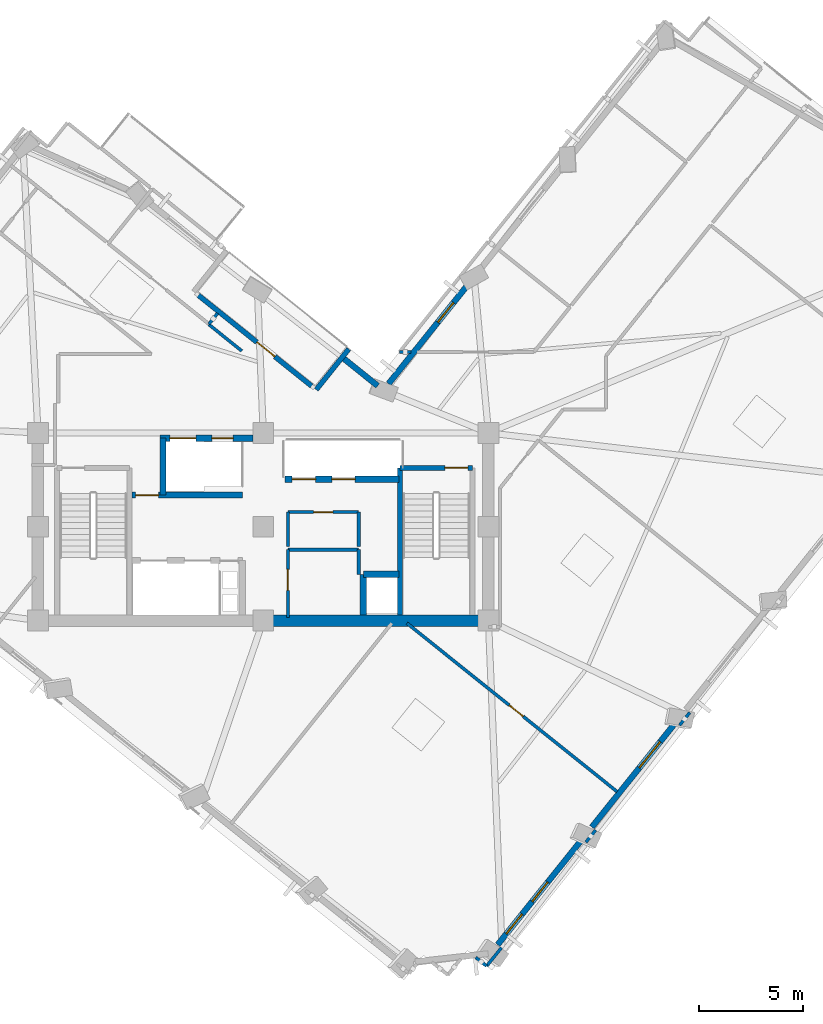
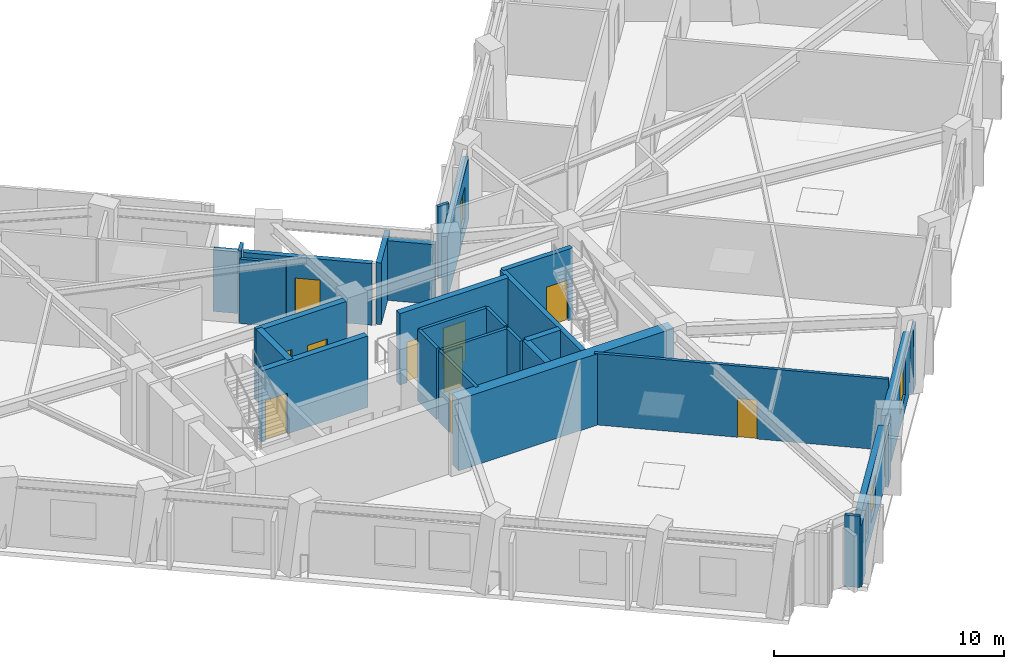
# One storey, part 5 of 10: 29 walls, 10 doors, 4 windows, 14 openings.
"""IFC4 building model written with IfcOpenShell, lengths in metres."""

from ifc_helpers import new_model, si_unit, direction, frame, frame_2d, origin, place, context, subcontext, project, spatial, rectangle, extrude, material, layer, layer_set, type_object, element, fill, save


model = new_model("IFC4")

# Units and contexts
model_context = context("Model", 3, precision=1e-05, world=origin(), true_north=direction((0.0, 1.0)))
body_context = subcontext(model_context, "Body", "Model", "MODEL_VIEW")
ifc_project = project(units=[si_unit("LENGTHUNIT", "METRE"), si_unit("AREAUNIT", "SQUARE_METRE"), si_unit("VOLUMEUNIT", "CUBIC_METRE"), si_unit("PLANEANGLEUNIT", "RADIAN"), si_unit("MASSUNIT", "GRAM", prefix="KILO")], contexts=[model_context])

# Site, building, storey
site_placement = place(None, origin())
site = spatial("IfcSite", under=ifc_project, at=site_placement, CompositionType="ELEMENT")
building_placement = place(site_placement, origin())
building = spatial("IfcBuilding", under=site, at=building_placement, Name="Gaonmaruhae Medical Tower", CompositionType="ELEMENT")
storey_placement = place(building_placement, frame((0.0, 0.0, 243.199951171875)))
storey = spatial("IfcBuildingStorey", under=building, at=storey_placement, Name="L58", CompositionType="ELEMENT", Elevation=243.199951171875)

# Wall
ifc_material_1 = material(Name="Concrete C50/60", Category="concrete")
ifc_layer_1 = layer(ifc_material_1, 0.550048828125)
ifc_layer_set_1 = layer_set([ifc_layer_1], Name="Concrete C50/60")
wall_type_1 = type_object("IfcWallType", Name="CW-550 Mid-High Core Shear Wall", PredefinedType="SHEAR", material=ifc_layer_set_1)
wall_1_placement = place(storey_placement, frame((24.800048828125, 7.800048828125, 0.0), z_axis=(0.0, 0.0, 1.0), x_axis=(1.0, 0.0, 0.0)))
element("IfcWall", 1, at=wall_1_placement, inside=storey, type_object=wall_type_1, Name="L58 Core Shear Wall CSW-S2", PredefinedType="SHEAR", context=body_context, shape_type="SweptSolid", body=[
    extrude(rectangle(XDim=10.800048828125, YDim=0.550048828125, at=frame_2d((5.39990234375, 0.0))), origin(), (0.0, 0.0, 1.0), 3.780029296875),
])

# Wall, opening, door
ifc_material_2 = material(Name="Precast concrete C45/55", Category="concrete")
ifc_layer_2 = layer(ifc_material_2, 0.239990234375)
ifc_layer_set_2 = layer_set([ifc_layer_2], Name="Precast concrete C45/55")
wall_type_2 = type_object("IfcWallType", Name="EW-240 Ribbon & Shelter Insulated Precast Wall", PredefinedType="SOLIDWALL", material=ifc_layer_set_2)
wall_2_placement = place(storey_placement, frame((21.68994140625, 23.39892578125, 0.0), z_axis=(0.0, 0.0, 1.0), x_axis=(0.780444274377, -0.625225347049, 0.0)))
wall_2 = element("IfcWall", 2, at=wall_2_placement, inside=storey, type_object=wall_type_2, Name="L58 Recessed Terrace Enclosure Wall TERB", PredefinedType="SOLIDWALL", context=body_context, shape_type="SweptSolid", body=[
    extrude(rectangle(XDim=6.9599609375, YDim=0.239990234375, at=frame_2d((3.47998046875, 0.0))), origin(), (0.0, 0.0, 1.0), 3.26513671875),
])
opening_1_placement = place(wall_2_placement, frame((3.59716796875, 0.0, 0.0)))
opening_1 = element("IfcOpeningElement", 3, at=opening_1_placement, cuts=wall_2, Name="Opening TD-01", PredefinedType="OPENING", context=body_context, shape_type="SweptSolid", body=[
    extrude(rectangle(XDim=1.10009765625, YDim=2.14990234375, at=frame_2d((0.550048828125, 1.074951171875))), frame((0.0, 0.1298828125, 0.0), z_axis=(0.0, -1.0, 0.0), x_axis=(1.0, 0.0, 0.0)), (0.0, 0.0, 1.0), 0.260009765625),
])
ifc_material_3 = material(Name="Anodised aluminium and toughened safety glass", Category="aluminium")
door_type_1 = type_object("IfcDoorType", Name="TD-01 Terrace & Sky Garden Glazed Door 1100x2150", OperationType="NOTDEFINED", PredefinedType="DOOR", material=ifc_material_3)
door_1_placement = place(opening_1_placement, origin())
door_1 = element("IfcDoor", 4, at=door_1_placement, inside=storey, type_object=door_type_1, Name="L58 Outdoor Terrace Access Door SLB-L58-TER", OperationType="SINGLE_SWING_RIGHT", OverallHeight=2.14990234375, OverallWidth=1.10009765625, PredefinedType="DOOR", context=body_context, shape_type="SweptSolid", body=[
    extrude(rectangle(XDim=1.10009765625, YDim=2.14990234375, at=frame_2d((0.550048828125, 1.074951171875))), frame((0.0, 0.02490234375, 0.0), z_axis=(0.0, -1.0, 0.0), x_axis=(1.0, 0.0, 0.0)), (0.0, 0.0, 1.0), 0.050048828125),
])
fill(opening_1, door_1)

# Wall
wall_3_placement = place(storey_placement, frame((27.34033203125, 18.872314453125, 0.0), z_axis=(0.0, 0.0, 1.0), x_axis=(0.625195109781, 0.780468496934, 0.0)))
element("IfcWall", 5, at=wall_3_placement, inside=storey, type_object=wall_type_2, Name="L58 Recessed Terrace Enclosure Wall TERL", PredefinedType="SOLIDWALL", context=body_context, shape_type="SweptSolid", body=[
    extrude(rectangle(XDim=2.5, YDim=0.239990234375, at=frame_2d((1.25, 0.0))), origin(), (0.0, 0.0, 1.0), 3.26513671875),
])

# Wall, openings, windows
ifc_layer_3 = layer(ifc_material_2, 0.280029296875)
ifc_layer_set_3 = layer_set([ifc_layer_3], Name="Precast concrete C45/55")
wall_type_3 = type_object("IfcWallType", Name="EW-280 Upper Precast Masonry-Frame Facade Wall", PredefinedType="SOLIDWALL", material=ifc_layer_set_3)
wall_4_placement = place(storey_placement, frame((40.093994140625, -2.680419921875, 0.0), z_axis=(0.0, 0.0, 1.0), x_axis=(-0.625241268049, -0.780431519564, 0.0)))
wall_4 = element("IfcWall", 6, at=wall_4_placement, inside=storey, type_object=wall_type_3, Name="L58 Precast Masonry-Frame Wall S01-S02", PredefinedType="SOLIDWALL", context=body_context, shape_type="SweptSolid", body=[
    extrude(rectangle(XDim=6.484619140625, YDim=0.280029296875, at=frame_2d((3.2421875, 0.0))), origin(), (0.0, 0.0, 1.0), 3.26513671875),
])
opening_2_placement = place(wall_4_placement, frame((2.634033203125, 0.0, 0.75)))
opening_2 = element("IfcOpeningElement", 7, at=opening_2_placement, cuts=wall_4, Name="Opening WN-05", PredefinedType="OPENING", context=body_context, shape_type="SweptSolid", body=[
    extrude(rectangle(XDim=1.199951171875, YDim=1.75, at=frame_2d((0.60009765625, 0.875))), frame((0.0, 0.14990234375, 0.0), z_axis=(0.0, -1.0, 0.0), x_axis=(1.0, 0.0, 0.0)), (0.0, 0.0, 1.0), 0.300048828125),
])
opening_3_placement = place(wall_4_placement, frame((4.60888671875, 0.0, 0.75)))
opening_3 = element("IfcOpeningElement", 8, at=opening_3_placement, cuts=wall_4, Name="Opening WN-05", PredefinedType="OPENING", context=body_context, shape_type="SweptSolid", body=[
    extrude(rectangle(XDim=1.199951171875, YDim=1.75, at=frame_2d((0.60009765625, 0.875))), frame((0.0, 0.14990234375, 0.0), z_axis=(0.0, -1.0, 0.0), x_axis=(1.0, 0.0, 0.0)), (0.0, 0.0, 1.0), 0.300048828125),
])
ifc_material_4 = material(Name="Anodised aluminium and Low-E double glazing", Category="aluminium")
window_type_1 = type_object("IfcWindowType", Name="WN-05 Support & Staff Punched Window 1200x1750", PartitioningType="SINGLE_PANEL", PredefinedType="WINDOW", material=ifc_material_4)
window_1_placement = place(opening_2_placement, origin())
window_1 = element("IfcWindow", 9, at=window_1_placement, inside=storey, type_object=window_type_1, Name="L58 Modular Facade Window S01", OverallHeight=1.75, OverallWidth=1.199951171875, PartitioningType="SINGLE_PANEL", PredefinedType="WINDOW", context=body_context, shape_type="SweptSolid", body=[
    extrude(rectangle(XDim=1.199951171875, YDim=1.75, at=frame_2d((0.60009765625, 0.875))), frame((0.0, 0.030029296875, 0.0), z_axis=(0.0, -1.0, 0.0), x_axis=(1.0, 0.0, 0.0)), (0.0, 0.0, 1.0), 0.06005859375),
])
fill(opening_2, window_1)
window_2_placement = place(opening_3_placement, origin())
window_2 = element("IfcWindow", 10, at=window_2_placement, inside=storey, type_object=window_type_1, Name="L58 Modular Facade Window S01B", OverallHeight=1.75, OverallWidth=1.199951171875, PartitioningType="SINGLE_PANEL", PredefinedType="WINDOW", context=body_context, shape_type="SweptSolid", body=[
    extrude(rectangle(XDim=1.199951171875, YDim=1.75, at=frame_2d((0.60009765625, 0.875))), frame((0.0, 0.030029296875, 0.0), z_axis=(0.0, -1.0, 0.0), x_axis=(1.0, 0.0, 0.0)), (0.0, 0.0, 1.0), 0.06005859375),
])
fill(opening_3, window_2)

# Wall, opening, window
wall_5_placement = place(storey_placement, frame((44.584716796875, 2.9248046875, 0.0), z_axis=(0.0, 0.0, 1.0), x_axis=(-0.625259022446, -0.78041729533, 0.0)))
wall_5 = element("IfcWall", 11, at=wall_5_placement, inside=storey, type_object=wall_type_3, Name="L58 Precast Masonry-Frame Wall S02-S03", PredefinedType="SOLIDWALL", context=body_context, shape_type="SweptSolid", body=[
    extrude(rectangle(XDim=6.438720703125, YDim=0.280029296875, at=frame_2d((3.21923828125, 0.0))), origin(), (0.0, 0.0, 1.0), 3.26513671875),
])
opening_4_placement = place(wall_5_placement, frame((1.1953125, 0.0, 0.75)))
opening_4 = element("IfcOpeningElement", 12, at=opening_4_placement, cuts=wall_5, Name="Opening WN-01", PredefinedType="OPENING", context=body_context, shape_type="SweptSolid", body=[
    extrude(rectangle(XDim=1.60009765625, YDim=1.949951171875, at=frame_2d((0.800048828125, 0.97509765625))), frame((0.0, 0.14990234375, 0.0), z_axis=(0.0, -1.0, 0.0), x_axis=(1.0, 0.0, 0.0)), (0.0, 0.0, 1.0), 0.300048828125),
])
window_type_2 = type_object("IfcWindowType", Name="WN-01 Ward Punched Acoustic Window 1600x1950", PartitioningType="SINGLE_PANEL", PredefinedType="WINDOW", material=ifc_material_4)
window_3_placement = place(opening_4_placement, origin())
window_3 = element("IfcWindow", 13, at=window_3_placement, inside=storey, type_object=window_type_2, Name="L58 Modular Facade Window S02", OverallHeight=1.949951171875, OverallWidth=1.60009765625, PartitioningType="SINGLE_PANEL", PredefinedType="WINDOW", context=body_context, shape_type="SweptSolid", body=[
    extrude(rectangle(XDim=1.60009765625, YDim=1.949951171875, at=frame_2d((0.800048828125, 0.97509765625))), frame((0.0, 0.030029296875, 0.0), z_axis=(0.0, -1.0, 0.0), x_axis=(1.0, 0.0, 0.0)), (0.0, 0.0, 1.0), 0.06005859375),
])
fill(opening_4, window_3)

wall_6_placement = place(storey_placement, frame((30.811767578125, 19.160400390625, 0.0), z_axis=(0.0, 0.0, 1.0), x_axis=(0.625231549592, 0.780439305388, 0.0)))
wall_6 = element("IfcWall", 14, at=wall_6_placement, inside=storey, type_object=wall_type_3, Name="L58 Precast Masonry-Frame Wall EN02-KN01", PredefinedType="SOLIDWALL", context=body_context, shape_type="SweptSolid", body=[
    extrude(rectangle(XDim=6.158203125, YDim=0.280029296875, at=frame_2d((3.0791015625, 0.0))), origin(), (0.0, 0.0, 1.0), 3.26513671875),
])
opening_5_placement = place(wall_6_placement, frame((3.77783203125, 0.0, 0.75)))
opening_5 = element("IfcOpeningElement", 15, at=opening_5_placement, cuts=wall_6, Name="Opening WN-05", PredefinedType="OPENING", context=body_context, shape_type="SweptSolid", body=[
    extrude(rectangle(XDim=1.199951171875, YDim=1.75, at=frame_2d((0.60009765625, 0.875))), frame((0.0, 0.14990234375, 0.0), z_axis=(0.0, -1.0, 0.0), x_axis=(1.0, 0.0, 0.0)), (0.0, 0.0, 1.0), 0.300048828125),
])
window_4_placement = place(opening_5_placement, origin())
window_4 = element("IfcWindow", 16, at=window_4_placement, inside=storey, type_object=window_type_1, Name="L58 Modular Facade Window EN02", OverallHeight=1.75, OverallWidth=1.199951171875, PartitioningType="SINGLE_PANEL", PredefinedType="WINDOW", context=body_context, shape_type="SweptSolid", body=[
    extrude(rectangle(XDim=1.199951171875, YDim=1.75, at=frame_2d((0.60009765625, 0.875))), frame((0.0, 0.030029296875, 0.0), z_axis=(0.0, -1.0, 0.0), x_axis=(1.0, 0.0, 0.0)), (0.0, 0.0, 1.0), 0.06005859375),
])
fill(opening_5, window_4)

# Wall
wall_7_placement = place(storey_placement, frame((28.60009765625, 20.412841796875, 0.0), z_axis=(0.0, 0.0, 1.0), x_axis=(0.78039569027, -0.625285987856, 0.0)))
element("IfcWall", 17, at=wall_7_placement, inside=storey, type_object=wall_type_3, Name="L58 Precast Masonry-Frame Wall KN01-NE01", PredefinedType="SOLIDWALL", context=body_context, shape_type="SweptSolid", body=[
    extrude(rectangle(XDim=2.165771484375, YDim=0.280029296875, at=frame_2d((1.0830078125, 0.0))), origin(), (0.0, 0.0, 1.0), 3.1650390625),
])

# Wall, opening, door
ifc_material_5 = material(Name="Gypsum board partition", Category="gypsum")
ifc_layer_4 = layer(ifc_material_5, 0.14990234375)
ifc_layer_set_4 = layer_set([ifc_layer_4], Name="Gypsum board partition")
wall_type_4 = type_object("IfcWallType", Name="PW-150 Rated Clinical Corridor Partition", PredefinedType="PARTITIONING", material=ifc_layer_set_4)
wall_8_placement = place(storey_placement, frame((25.97998046875, 7.9599609375, 0.0), z_axis=(0.0, 0.0, 1.0), x_axis=(0.0, 1.0, 0.0)))
wall_8 = element("IfcWall", 18, at=wall_8_placement, inside=storey, type_object=wall_type_4, Name="L58 Interior Partition L58-RCL1-1", PredefinedType="PARTITIONING", context=body_context, shape_type="SweptSolid", body=[
    extrude(rectangle(XDim=3.239990234375, YDim=0.14990234375, at=frame_2d((1.6201171875, 0.0))), origin(), (0.0, 0.0, 1.0), 3.780029296875),
])
opening_6_placement = place(wall_8_placement, frame((1.294921875, 0.0, 0.0)))
opening_6 = element("IfcOpeningElement", 19, at=opening_6_placement, cuts=wall_8, Name="Opening CD-01", PredefinedType="OPENING", context=body_context, shape_type="SweptSolid", body=[
    extrude(rectangle(XDim=1.0, YDim=2.1201171875, at=frame_2d((0.5, 1.06005859375))), frame((0.0, 0.0849609375, 0.0), z_axis=(0.0, -1.0, 0.0), x_axis=(1.0, 0.0, 0.0)), (0.0, 0.0, 1.0), 0.169921875),
])
ifc_material_6 = material(Name="Antimicrobial laminate timber fire door", Category="wood")
door_type_2 = type_object("IfcDoorType", Name="CD-01 Consultation & Physician Office Door 1000x2120", OperationType="NOTDEFINED", PredefinedType="DOOR", material=ifc_material_6)
door_2_placement = place(opening_6_placement, origin())
door_2 = element("IfcDoor", 20, at=door_2_placement, inside=storey, type_object=door_type_2, Name="L58 Clinical Telemetry and Medication Room Door", OperationType="SINGLE_SWING_RIGHT", OverallHeight=2.1201171875, OverallWidth=1.0, PredefinedType="DOOR", context=body_context, shape_type="SweptSolid", body=[
    extrude(rectangle(XDim=1.0, YDim=2.1201171875, at=frame_2d((0.5, 1.06005859375))), frame((0.0, 0.02490234375, 0.0), z_axis=(0.0, -1.0, 0.0), x_axis=(1.0, 0.0, 0.0)), (0.0, 0.0, 1.0), 0.050048828125),
])
fill(opening_6, door_2)

# Walls
wall_9_placement = place(storey_placement, frame((25.97998046875, 11.199951171875, 0.0), z_axis=(0.0, 0.0, 1.0), x_axis=(1.0, 0.0, 0.0)))
element("IfcWall", 21, at=wall_9_placement, inside=storey, type_object=wall_type_4, Name="L58 Interior Partition L58-RCL1-2", PredefinedType="PARTITIONING", context=body_context, shape_type="SweptSolid", body=[
    extrude(rectangle(XDim=3.39990234375, YDim=0.14990234375, at=frame_2d((1.699951171875, 0.0))), origin(), (0.0, 0.0, 1.0), 3.780029296875),
])
wall_10_placement = place(storey_placement, frame((29.3798828125, 11.199951171875, 0.0), z_axis=(0.0, 0.0, 1.0), x_axis=(0.0, -1.0, 0.0)))
element("IfcWall", 22, at=wall_10_placement, inside=storey, type_object=wall_type_4, Name="L58 Interior Partition L58-RCL1-3", PredefinedType="PARTITIONING", context=body_context, shape_type="SweptSolid", body=[
    extrude(rectangle(XDim=1.179931640625, YDim=0.14990234375, at=frame_2d((0.58984375, 0.0))), origin(), (0.0, 0.0, 1.0), 3.780029296875),
])
wall_11_placement = place(storey_placement, frame((25.97998046875, 11.360107421875, 0.0), z_axis=(0.0, 0.0, 1.0), x_axis=(0.0, 1.0, 0.0)))
element("IfcWall", 23, at=wall_11_placement, inside=storey, type_object=wall_type_4, Name="L58 Interior Partition L58-CS1-4", PredefinedType="PARTITIONING", context=body_context, shape_type="SweptSolid", body=[
    extrude(rectangle(XDim=1.639892578125, YDim=0.14990234375, at=frame_2d((0.81982421875, 0.0))), origin(), (0.0, 0.0, 1.0), 3.780029296875),
])

# Wall, opening, door
wall_12_placement = place(storey_placement, frame((25.97998046875, 13.0, 0.0), z_axis=(0.0, 0.0, 1.0), x_axis=(1.0, 0.0, 0.0)))
wall_12 = element("IfcWall", 24, at=wall_12_placement, inside=storey, type_object=wall_type_4, Name="L58 Interior Partition L58-CS1-5", PredefinedType="PARTITIONING", context=body_context, shape_type="SweptSolid", body=[
    extrude(rectangle(XDim=3.39990234375, YDim=0.14990234375, at=frame_2d((1.699951171875, 0.0))), origin(), (0.0, 0.0, 1.0), 3.780029296875),
])
opening_7_placement = place(wall_12_placement, frame((1.239990234375, 0.0, 0.0)))
opening_7 = element("IfcOpeningElement", 25, at=opening_7_placement, cuts=wall_12, Name="Opening UD-01", PredefinedType="OPENING", context=body_context, shape_type="SweptSolid", body=[
    extrude(rectangle(XDim=0.919921875, YDim=2.10009765625, at=frame_2d((0.4599609375, 1.050048828125))), frame((0.0, 0.0849609375, 0.0), z_axis=(0.0, -1.0, 0.0), x_axis=(1.0, 0.0, 0.0)), (0.0, 0.0, 1.0), 0.169921875),
])
ifc_material_7 = material(Name="Powder-coated steel utility door", Category="steel")
door_type_3 = type_object("IfcDoorType", Name="UD-01 Toilet, Utility & Housekeeping Door 920x2100", OperationType="NOTDEFINED", PredefinedType="DOOR", material=ifc_material_7)
door_3_placement = place(opening_7_placement, origin())
door_3 = element("IfcDoor", 26, at=door_3_placement, inside=storey, type_object=door_type_3, Name="L58 Accessible Staff Toilet Door", OperationType="SINGLE_SWING_LEFT", OverallHeight=2.10009765625, OverallWidth=0.919921875, PredefinedType="DOOR", context=body_context, shape_type="SweptSolid", body=[
    extrude(rectangle(XDim=0.919921875, YDim=2.10009765625, at=frame_2d((0.4599609375, 1.050048828125))), frame((0.0, 0.02490234375, 0.0), z_axis=(0.0, -1.0, 0.0), x_axis=(1.0, 0.0, 0.0)), (0.0, 0.0, 1.0), 0.050048828125),
])
fill(opening_7, door_3)

# Wall
wall_13_placement = place(storey_placement, frame((29.3798828125, 13.0, 0.0), z_axis=(0.0, 0.0, 1.0), x_axis=(0.0, -1.0, 0.0)))
element("IfcWall", 27, at=wall_13_placement, inside=storey, type_object=wall_type_4, Name="L58 Interior Partition L58-CS1-6", PredefinedType="PARTITIONING", context=body_context, shape_type="SweptSolid", body=[
    extrude(rectangle(XDim=1.639892578125, YDim=0.14990234375, at=frame_2d((0.81982421875, 0.0))), origin(), (0.0, 0.0, 1.0), 3.780029296875),
])

# Wall, opening, door
wall_14_placement = place(storey_placement, frame((31.68896484375, 7.675048828125, 0.0), z_axis=(0.0, 0.0, 1.0), x_axis=(0.78039660669, -0.625284844105, 0.0)))
wall_14 = element("IfcWall", 28, at=wall_14_placement, inside=storey, type_object=wall_type_4, Name="L58 Interior Partition L58-SUP01-12", PredefinedType="PARTITIONING", context=body_context, shape_type="SweptSolid", body=[
    extrude(rectangle(XDim=12.919189453125, YDim=0.14990234375, at=frame_2d((6.45947265625, 0.0))), origin(), (0.0, 0.0, 1.0), 3.780029296875),
])
opening_8_placement = place(wall_14_placement, frame((6.28955078125, 0.0, 0.0)))
opening_8 = element("IfcOpeningElement", 29, at=opening_8_placement, cuts=wall_14, Name="Opening AD-01", PredefinedType="OPENING", context=body_context, shape_type="SweptSolid", body=[
    extrude(rectangle(XDim=0.860107421875, YDim=2.06005859375, at=frame_2d((0.43017578125, 1.030029296875))), frame((0.0, 0.0849609375, 0.0), z_axis=(0.0, -1.0, 0.0), x_axis=(1.0, 0.0, 0.0)), (0.0, 0.0, 1.0), 0.169921875),
])
ifc_material_8 = material(Name="Powder-coated steel access door", Category="steel")
door_type_4 = type_object("IfcDoorType", Name="AD-01 Riser & Closet Access Fire Door 860x2060", OperationType="NOTDEFINED", PredefinedType="DOOR", material=ifc_material_8)
door_4_placement = place(opening_8_placement, origin())
door_4 = element("IfcDoor", 30, at=door_4_placement, inside=storey, type_object=door_type_4, Name="L58 Clinical Biomedical Charting Office Sliding Door", OperationType="SLIDING_TO_LEFT", OverallHeight=2.06005859375, OverallWidth=0.860107421875, PredefinedType="DOOR", context=body_context, shape_type="SweptSolid", body=[
    extrude(rectangle(XDim=0.860107421875, YDim=2.06005859375, at=frame_2d((0.43017578125, 1.030029296875))), frame((0.0, 0.02490234375, 0.0), z_axis=(0.0, -1.0, 0.0), x_axis=(1.0, 0.0, 0.0)), (0.0, 0.0, 1.0), 0.050048828125),
])
fill(opening_8, door_4)

# Walls
wall_15_placement = place(storey_placement, frame((40.739013671875, -2.243896484375, 0.0), z_axis=(0.0, 0.0, 1.0), x_axis=(-0.625535620459, -0.780195608509, 0.0)))
element("IfcWall", 31, at=wall_15_placement, inside=storey, type_object=wall_type_4, Name="L58 Interior Partition L58-SUP01-13", PredefinedType="PARTITIONING", context=body_context, shape_type="SweptSolid", body=[
    extrude(rectangle(XDim=0.743408203125, YDim=0.14990234375, at=frame_2d((0.37158203125, 0.0))), origin(), (0.0, 0.0, 1.0), 3.26513671875),
])
wall_16_placement = place(storey_placement, frame((36.218994140625, -7.885009765625, 0.0), z_axis=(0.0, 0.0, 1.0), x_axis=(-0.625327701113, -0.780362266015, 0.0)))
element("IfcWall", 32, at=wall_16_placement, inside=storey, type_object=wall_type_4, Name="L58 Interior Partition L58-SUP01-14", PredefinedType="PARTITIONING", context=body_context, shape_type="SweptSolid", body=[
    extrude(rectangle(XDim=1.129150390625, YDim=0.14990234375, at=frame_2d((0.564453125, 0.0))), origin(), (0.0, 0.0, 1.0), 3.26513671875),
])
wall_17_placement = place(storey_placement, frame((35.512939453125, -8.76611328125, 0.0), z_axis=(0.0, 0.0, 1.0), x_axis=(-0.78072601793, 0.624873495138, 0.0)))
element("IfcWall", 33, at=wall_17_placement, inside=storey, type_object=wall_type_4, Name="L58 Interior Partition L58-SUP01-15", PredefinedType="PARTITIONING", context=body_context, shape_type="SweptSolid", body=[
    extrude(rectangle(XDim=0.667236328125, YDim=0.14990234375, at=frame_2d((0.33349609375, 0.0))), origin(), (0.0, 0.0, 1.0), 3.780029296875),
])
wall_18_placement = place(storey_placement, frame((45.2509765625, 3.387939453125, 0.0), z_axis=(0.0, 0.0, 1.0), x_axis=(-0.625880358597, -0.779919083445, 0.0)))
element("IfcWall", 34, at=wall_18_placement, inside=storey, type_object=wall_type_4, Name="L58 Interior Partition L58-SUP02-19", PredefinedType="PARTITIONING", context=body_context, shape_type="SweptSolid", body=[
    extrude(rectangle(XDim=0.7783203125, YDim=0.14990234375, at=frame_2d((0.38916015625, 0.0))), origin(), (0.0, 0.0, 1.0), 3.26513671875),
])
wall_19_placement = place(storey_placement, frame((31.882080078125, 20.679931640625, 0.0), z_axis=(0.0, 0.0, 1.0), x_axis=(-1.0, 0.0, 0.0)))
element("IfcWall", 35, at=wall_19_placement, inside=storey, type_object=wall_type_4, Name="L58 Interior Partition L58-IE01-58", PredefinedType="PARTITIONING", context=body_context, shape_type="SweptSolid", body=[
    extrude(rectangle(XDim=0.55810546875, YDim=0.14990234375, at=frame_2d((0.279052734375, 0.0))), origin(), (0.0, 0.0, 1.0), 3.780029296875),
])
wall_20_placement = place(storey_placement, frame((22.613037109375, 22.5380859375, 0.0), z_axis=(0.0, 0.0, 1.0), x_axis=(-0.62541093156, -0.780295563672, 0.0)))
element("IfcWall", 36, at=wall_20_placement, inside=storey, type_object=wall_type_4, Name="L58 Interior Partition L58-IN02-70", PredefinedType="PARTITIONING", context=body_context, shape_type="SweptSolid", body=[
    extrude(rectangle(XDim=0.665283203125, YDim=0.14990234375, at=frame_2d((0.33251953125, 0.0))), origin(), (0.0, 0.0, 1.0), 3.780029296875),
])
wall_21_placement = place(storey_placement, frame((22.18505859375, 22.00390625, 0.0), z_axis=(0.0, 0.0, 1.0), x_axis=(0.78033107822, -0.625366619163, 0.0)))
element("IfcWall", 37, at=wall_21_placement, inside=storey, type_object=wall_type_4, Name="L58 Interior Partition L58-RM03-86", PredefinedType="PARTITIONING", context=body_context, shape_type="SweptSolid", body=[
    extrude(rectangle(XDim=2.03857421875, YDim=0.14990234375, at=frame_2d((1.019287109375, 0.0))), origin(), (0.0, 0.0, 1.0), 3.4150390625),
])

# Wall, opening, door
ifc_layer_5 = layer(ifc_material_1, 0.239990234375)
ifc_layer_set_5 = layer_set([ifc_layer_5], Name="Concrete C50/60")
wall_type_5 = type_object("IfcWallType", Name="SW-240 Dogleg Stair Tight Shaft Wall", PredefinedType="SOLIDWALL", material=ifc_layer_set_5)
wall_22_placement = place(storey_placement, frame((31.3701171875, 15.1201171875, 0.0), z_axis=(0.0, 0.0, 1.0), x_axis=(1.0, 0.0, 0.0)))
wall_22 = element("IfcWall", 38, at=wall_22_placement, inside=storey, type_object=wall_type_5, Name="L58 ST-02 Stair Shaft Wall SHW-ST-02-N", PredefinedType="SOLIDWALL", context=body_context, shape_type="SweptSolid", body=[
    extrude(rectangle(XDim=3.4599609375, YDim=0.239990234375, at=frame_2d((1.72998046875, 0.0))), origin(), (0.0, 0.0, 1.0), 3.780029296875),
])
opening_9_placement = place(wall_22_placement, frame((2.139892578125, 0.0, 0.0)))
opening_9 = element("IfcOpeningElement", 39, at=opening_9_placement, cuts=wall_22, Name="Opening FD-01", PredefinedType="OPENING", context=body_context, shape_type="SweptSolid", body=[
    extrude(rectangle(XDim=1.10009765625, YDim=2.14990234375, at=frame_2d((0.550048828125, 1.074951171875))), frame((0.0, 0.1298828125, 0.0), z_axis=(0.0, -1.0, 0.0), x_axis=(1.0, 0.0, 0.0)), (0.0, 0.0, 1.0), 0.260009765625),
])
ifc_material_9 = material(Name="Powder-coated steel fire door", Category="steel")
door_type_5 = type_object("IfcDoorType", Name="FD-01 Escape Stair Protected Fire Door 1100x2150", OperationType="NOTDEFINED", PredefinedType="DOOR", material=ifc_material_9)
door_5_placement = place(opening_9_placement, origin())
door_5 = element("IfcDoor", 40, at=door_5_placement, inside=storey, type_object=door_type_5, Name="L58 ST-02 Protected Escape Stair Door", OperationType="SINGLE_SWING_LEFT", OverallHeight=2.14990234375, OverallWidth=1.10009765625, PredefinedType="DOOR", context=body_context, shape_type="SweptSolid", body=[
    extrude(rectangle(XDim=1.10009765625, YDim=2.14990234375, at=frame_2d((0.550048828125, 1.074951171875))), frame((0.0, 0.02490234375, 0.0), z_axis=(0.0, -1.0, 0.0), x_axis=(1.0, 0.0, 0.0)), (0.0, 0.0, 1.0), 0.050048828125),
])
fill(opening_9, door_5)

# Wall
wall_23_placement = place(storey_placement, frame((31.3701171875, 8.074951171875, 0.0), z_axis=(0.0, 0.0, 1.0), x_axis=(0.0, 1.0, 0.0)))
element("IfcWall", 41, at=wall_23_placement, inside=storey, type_object=wall_type_5, Name="L58 ST-02 Stair Shaft Wall SHW-ST-02-W", PredefinedType="SOLIDWALL", context=body_context, shape_type="SweptSolid", body=[
    extrude(rectangle(XDim=7.045166015625, YDim=0.239990234375, at=frame_2d((3.5224609375, 0.0))), origin(), (0.0, 0.0, 1.0), 3.780029296875),
])

# Wall, openings, doors
ifc_layer_6 = layer(ifc_material_1, 0.300048828125)
ifc_layer_set_6 = layer_set([ifc_layer_6], Name="Concrete C50/60")
wall_type_6 = type_object("IfcWallType", Name="SW-300 Stair & Lift Hoistway Shaft Wall", PredefinedType="SOLIDWALL", material=ifc_layer_set_6)
wall_24_placement = place(storey_placement, frame((19.85009765625, 16.550048828125, 0.0), z_axis=(0.0, 0.0, 1.0), x_axis=(1.0, 0.0, 0.0)))
wall_24 = element("IfcWall", 42, at=wall_24_placement, inside=storey, type_object=wall_type_6, Name="L58 Core Shear Wall CSW-NB", PredefinedType="SOLIDWALL", context=body_context, shape_type="SweptSolid", body=[
    extrude(rectangle(XDim=4.449951171875, YDim=0.300048828125, at=frame_2d((2.22509765625, 0.0))), origin(), (0.0, 0.0, 1.0), 3.780029296875),
])
opening_10_placement = place(wall_24_placement, frame((0.47509765625, 0.0, 0.0)))
opening_10 = element("IfcOpeningElement", 43, at=opening_10_placement, cuts=wall_24, Name="Opening LD-F1", PredefinedType="OPENING", context=body_context, shape_type="SweptSolid", body=[
    extrude(rectangle(XDim=1.25, YDim=2.179931640625, at=frame_2d((0.625, 1.08984375))), frame((0.0, 0.16015625, 0.0), z_axis=(0.0, -1.0, 0.0), x_axis=(1.0, 0.0, 0.0)), (0.0, 0.0, 1.0), 0.320068359375),
])
opening_11_placement = place(wall_24_placement, frame((2.489990234375, 0.0, 0.0)))
opening_11 = element("IfcOpeningElement", 44, at=opening_11_placement, cuts=wall_24, Name="Opening LD-S1", PredefinedType="OPENING", context=body_context, shape_type="SweptSolid", body=[
    extrude(rectangle(XDim=1.02001953125, YDim=2.1201171875, at=frame_2d((0.510009765625, 1.06005859375))), frame((0.0, 0.16015625, 0.0), z_axis=(0.0, -1.0, 0.0), x_axis=(1.0, 0.0, 0.0)), (0.0, 0.0, 1.0), 0.320068359375),
])
ifc_material_10 = material(Name="Brushed stainless steel 316L landing door", Category="steel")
door_type_6 = type_object("IfcDoorType", Name="LD-F1 Firefighting & Bed Lift Sliding Landing Door 1250x2180", OperationType="NOTDEFINED", PredefinedType="DOOR", material=ifc_material_10)
door_6_placement = place(opening_10_placement, origin())
door_6 = element("IfcDoor", 45, at=door_6_placement, inside=storey, type_object=door_type_6, Name="L58 Service/Bed Lift Landing Door BDL-01", OperationType="DOUBLE_DOOR_SLIDING", OverallHeight=2.179931640625, OverallWidth=1.25, PredefinedType="DOOR", context=body_context, shape_type="SweptSolid", body=[
    extrude(rectangle(XDim=1.25, YDim=2.179931640625, at=frame_2d((0.625, 1.08984375))), frame((0.0, 0.02490234375, 0.0), z_axis=(0.0, -1.0, 0.0), x_axis=(1.0, 0.0, 0.0)), (0.0, 0.0, 1.0), 0.050048828125),
])
fill(opening_10, door_6)
ifc_material_11 = material(Name="Brushed stainless steel 304 landing door", Category="steel")
door_type_7 = type_object("IfcDoorType", Name="LD-S1 Service Lift Sliding Landing Door 1020x2120", OperationType="NOTDEFINED", PredefinedType="DOOR", material=ifc_material_11)
door_7_placement = place(opening_11_placement, origin())
door_7 = element("IfcDoor", 46, at=door_7_placement, inside=storey, type_object=door_type_7, Name="L58 Service/Bed Lift Landing Door SVL-01", OperationType="SLIDING_TO_LEFT", OverallHeight=2.1201171875, OverallWidth=1.02001953125, PredefinedType="DOOR", context=body_context, shape_type="SweptSolid", body=[
    extrude(rectangle(XDim=1.02001953125, YDim=2.1201171875, at=frame_2d((0.510009765625, 1.06005859375))), frame((0.0, 0.02490234375, 0.0), z_axis=(0.0, -1.0, 0.0), x_axis=(1.0, 0.0, 0.0)), (0.0, 0.0, 1.0), 0.050048828125),
])
fill(opening_11, door_7)

# Wall, opening, door
wall_25_placement = place(storey_placement, frame((18.5, 13.820068359375, 0.0), z_axis=(0.0, 0.0, 1.0), x_axis=(1.0, 0.0, 0.0)))
wall_25 = element("IfcWall", 47, at=wall_25_placement, inside=storey, type_object=wall_type_6, Name="L58 Shaft Enclosure Wall SHW-FFL", PredefinedType="SOLIDWALL", context=body_context, shape_type="SweptSolid", body=[
    extrude(rectangle(XDim=5.300048828125, YDim=0.300048828125, at=frame_2d((2.64990234375, 0.0))), origin(), (0.0, 0.0, 1.0), 3.780029296875),
])
opening_12_placement = place(wall_25_placement, frame((0.179931640625, 0.0, 0.0)))
opening_12 = element("IfcOpeningElement", 48, at=opening_12_placement, cuts=wall_25, Name="Opening FD-01", PredefinedType="OPENING", context=body_context, shape_type="SweptSolid", body=[
    extrude(rectangle(XDim=1.10009765625, YDim=2.14990234375, at=frame_2d((0.550048828125, 1.074951171875))), frame((0.0, 0.16015625, 0.0), z_axis=(0.0, -1.0, 0.0), x_axis=(1.0, 0.0, 0.0)), (0.0, 0.0, 1.0), 0.320068359375),
])
door_8_placement = place(opening_12_placement, origin())
door_8 = element("IfcDoor", 49, at=door_8_placement, inside=storey, type_object=door_type_5, Name="L58 Firefighting Lobby Smoke Door", OperationType="SINGLE_SWING_LEFT", OverallHeight=2.14990234375, OverallWidth=1.10009765625, PredefinedType="DOOR", context=body_context, shape_type="SweptSolid", body=[
    extrude(rectangle(XDim=1.10009765625, YDim=2.14990234375, at=frame_2d((0.550048828125, 1.074951171875))), frame((0.0, 0.02490234375, 0.0), z_axis=(0.0, -1.0, 0.0), x_axis=(1.0, 0.0, 0.0)), (0.0, 0.0, 1.0), 0.050048828125),
])
fill(opening_12, door_8)

# Walls
wall_26_placement = place(storey_placement, frame((20.0, 13.820068359375, 0.0), z_axis=(0.0, 0.0, 1.0), x_axis=(0.0, 1.0, 0.0)))
element("IfcWall", 50, at=wall_26_placement, inside=storey, type_object=wall_type_6, Name="L58 Shaft Enclosure Wall SHW-BDW", PredefinedType="SOLIDWALL", context=body_context, shape_type="SweptSolid", body=[
    extrude(rectangle(XDim=2.72998046875, YDim=0.300048828125, at=frame_2d((1.364990234375, 0.0))), origin(), (0.0, 0.0, 1.0), 3.780029296875),
])
wall_27_placement = place(storey_placement, frame((29.60009765625, 10.02001953125, 0.0), z_axis=(0.0, 0.0, 1.0), x_axis=(1.0, 0.0, 0.0)))
element("IfcWall", 51, at=wall_27_placement, inside=storey, type_object=wall_type_6, Name="L58 Shaft Enclosure Wall SHW-PLS", PredefinedType="SOLIDWALL", context=body_context, shape_type="SweptSolid", body=[
    extrude(rectangle(XDim=1.699951171875, YDim=0.300048828125, at=frame_2d((0.85009765625, 0.0))), origin(), (0.0, 0.0, 1.0), 3.780029296875),
])
wall_28_placement = place(storey_placement, frame((29.60009765625, 8.074951171875, 0.0), z_axis=(0.0, 0.0, 1.0), x_axis=(0.0, 1.0, 0.0)))
element("IfcWall", 52, at=wall_28_placement, inside=storey, type_object=wall_type_6, Name="L58 Shaft Enclosure Wall SHW-PLD1", PredefinedType="SOLIDWALL", context=body_context, shape_type="SweptSolid", body=[
    extrude(rectangle(XDim=1.945068359375, YDim=0.300048828125, at=frame_2d((0.97265625, 0.0))), origin(), (0.0, 0.0, 1.0), 3.780029296875),
])

# Wall, openings, doors
wall_29_placement = place(storey_placement, frame((25.85009765625, 14.580078125, 0.0), z_axis=(0.0, 0.0, 1.0), x_axis=(1.0, 0.0, 0.0)))
wall_29 = element("IfcWall", 53, at=wall_29_placement, inside=storey, type_object=wall_type_6, Name="L58 Shaft Enclosure Wall SHW-PLN", PredefinedType="SOLIDWALL", context=body_context, shape_type="SweptSolid", body=[
    extrude(rectangle(XDim=5.449951171875, YDim=0.300048828125, at=frame_2d((2.72509765625, 0.0))), origin(), (0.0, 0.0, 1.0), 3.780029296875),
])
opening_13_placement = place(wall_29_placement, frame((0.340087890625, 0.0, 0.0)))
opening_13 = element("IfcOpeningElement", 54, at=opening_13_placement, cuts=wall_29, Name="Opening LD-P1", PredefinedType="OPENING", context=body_context, shape_type="SweptSolid", body=[
    extrude(rectangle(XDim=1.1201171875, YDim=2.14990234375, at=frame_2d((0.56005859375, 1.074951171875))), frame((0.0, 0.16015625, 0.0), z_axis=(0.0, -1.0, 0.0), x_axis=(1.0, 0.0, 0.0)), (0.0, 0.0, 1.0), 0.320068359375),
])
opening_14_placement = place(wall_29_placement, frame((2.239990234375, 0.0, 0.0)))
opening_14 = element("IfcOpeningElement", 55, at=opening_14_placement, cuts=wall_29, Name="Opening LD-P1", PredefinedType="OPENING", context=body_context, shape_type="SweptSolid", body=[
    extrude(rectangle(XDim=1.1201171875, YDim=2.14990234375, at=frame_2d((0.56005859375, 1.074951171875))), frame((0.0, 0.16015625, 0.0), z_axis=(0.0, -1.0, 0.0), x_axis=(1.0, 0.0, 0.0)), (0.0, 0.0, 1.0), 0.320068359375),
])
door_type_8 = type_object("IfcDoorType", Name="LD-P1 Passenger Lift Sliding Landing Door 1120x2150", OperationType="NOTDEFINED", PredefinedType="DOOR", material=ifc_material_11)
door_9_placement = place(opening_13_placement, origin())
door_9 = element("IfcDoor", 56, at=door_9_placement, inside=storey, type_object=door_type_8, Name="L58 Passenger Lift Landing Door PL-M1", OperationType="DOUBLE_DOOR_SLIDING", OverallHeight=2.14990234375, OverallWidth=1.1201171875, PredefinedType="DOOR", context=body_context, shape_type="SweptSolid", body=[
    extrude(rectangle(XDim=1.1201171875, YDim=2.14990234375, at=frame_2d((0.56005859375, 1.074951171875))), frame((0.0, 0.02490234375, 0.0), z_axis=(0.0, -1.0, 0.0), x_axis=(1.0, 0.0, 0.0)), (0.0, 0.0, 1.0), 0.050048828125),
])
fill(opening_13, door_9)
door_10_placement = place(opening_14_placement, origin())
door_10 = element("IfcDoor", 57, at=door_10_placement, inside=storey, type_object=door_type_8, Name="L58 Passenger Lift Landing Door PL-M2", OperationType="DOUBLE_DOOR_SLIDING", OverallHeight=2.14990234375, OverallWidth=1.1201171875, PredefinedType="DOOR", context=body_context, shape_type="SweptSolid", body=[
    extrude(rectangle(XDim=1.1201171875, YDim=2.14990234375, at=frame_2d((0.56005859375, 1.074951171875))), frame((0.0, 0.02490234375, 0.0), z_axis=(0.0, -1.0, 0.0), x_axis=(1.0, 0.0, 0.0)), (0.0, 0.0, 1.0), 0.050048828125),
])
fill(opening_14, door_10)

save(model, "model.ifc")
